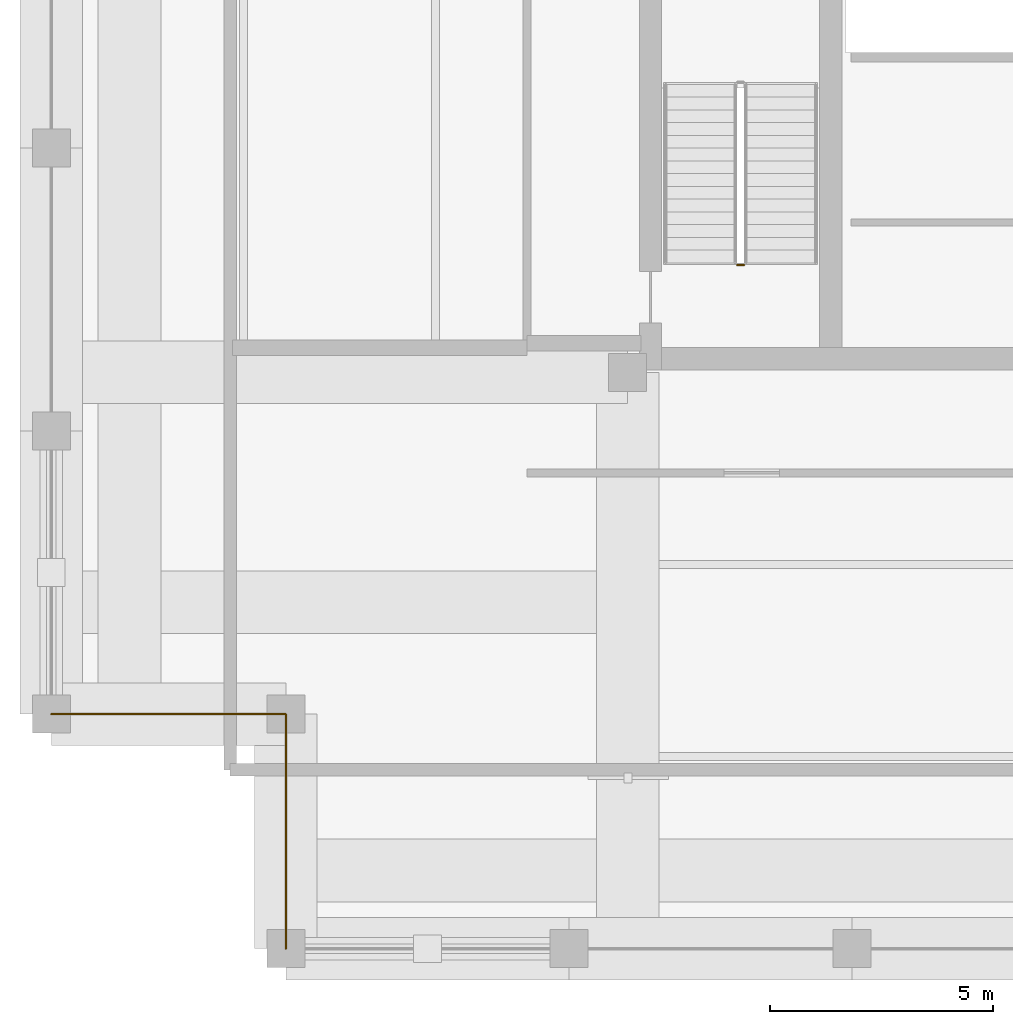
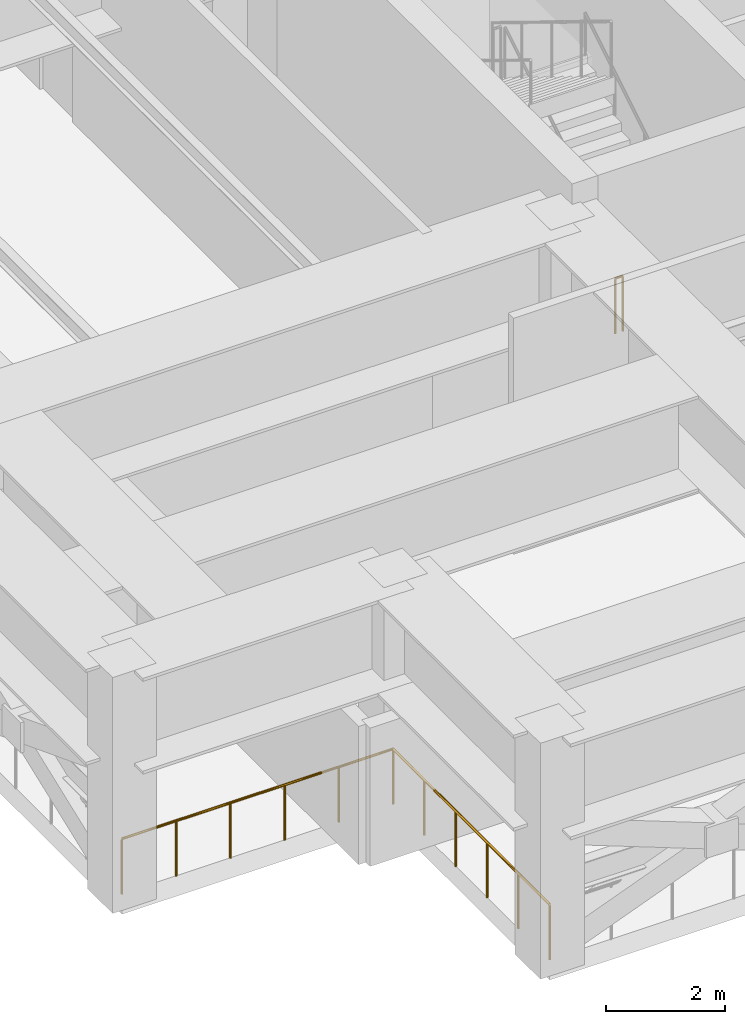
# One storey, part 5 of 10: 3 railings.
"""IFC4 building model written with IfcOpenShell, lengths in metres."""

from ifc_helpers import new_model, si_unit, direction, frame, origin, origin_2d, place, context, subcontext, project, spatial, circle, extrude, material, type_object, element, save


model = new_model("IFC4")

# Units and contexts
model_context = context("Model", 3, precision=1e-05, world=origin(), true_north=direction((0.0, 1.0)))
body_context = subcontext(model_context, "Body", "Model", "MODEL_VIEW")
ifc_project = project(units=[si_unit("LENGTHUNIT", "METRE"), si_unit("AREAUNIT", "SQUARE_METRE"), si_unit("VOLUMEUNIT", "CUBIC_METRE"), si_unit("PLANEANGLEUNIT", "RADIAN"), si_unit("MASSUNIT", "GRAM", prefix="KILO")], contexts=[model_context])

# Site, building, storey
site_placement = place(None, origin())
site = spatial("IfcSite", under=ifc_project, at=site_placement, CompositionType="ELEMENT")
building_placement = place(site_placement, origin())
building = spatial("IfcBuilding", under=site, at=building_placement, Name="Nhamokura Convention Tower", CompositionType="ELEMENT")
storey_placement = place(building_placement, frame((0.0, 0.0, 252.35009765625)))
storey = spatial("IfcBuildingStorey", under=building, at=storey_placement, Name="L62", CompositionType="ELEMENT", Elevation=252.35009765625)

# Railings
ifc_material_1 = material(Name="Painted tubular steel", Category="steel")
railing_type_1 = type_object("IfcRailingType", Name="StairWellGuardrail_1150", PredefinedType="GUARDRAIL", material=ifc_material_1)
railing_1_placement = place(storey_placement, frame((23.25, 23.050048828125, 0.0)))
element("IfcRailing", 1, at=railing_1_placement, inside=storey, type_object=railing_type_1, Name="L62 ST-01 stair guard 4", PredefinedType="GUARDRAIL", context=body_context, shape_type="SweptSolid", body=[
    extrude(circle(Radius=0.02392578125, at=origin_2d()), frame((0.0, 0.0, 1.1259765625), z_axis=(-1.0, 0.0, 0.0), x_axis=(0.0, -1.0, 0.0)), (0.0, 0.0, 1.0), 0.14990234375),
    extrude(circle(Radius=0.02099609375, at=origin_2d()), origin(), (0.0, 0.0, 1.0), 1.101806640625),
    extrude(circle(Radius=0.02099609375, at=origin_2d()), frame((-0.14990234375, 0.0, 0.0)), (0.0, 0.0, 1.0), 1.101806640625),
])
ifc_material_2 = material(Name="Anodised bronze stainless steel", Category="steel")
railing_type_2 = type_object("IfcRailingType", Name="TerraceGuardrail_1150", PredefinedType="GUARDRAIL", material=ifc_material_2)
railing_2_placement = place(storey_placement, frame((7.75, 13.0, 0.0)))
element("IfcRailing", 2, at=railing_2_placement, inside=storey, type_object=railing_type_2, Name="L62 Perimeter Guardrail 11", PredefinedType="GUARDRAIL", context=body_context, shape_type="SweptSolid", body=[
    extrude(circle(Radius=0.02392578125, at=origin_2d()), frame((0.0, 0.0, 1.1259765625), z_axis=(1.0, 0.0, 0.0), x_axis=(0.0, 1.0, 0.0)), (0.0, 0.0, 1.0), 5.25),
    extrude(circle(Radius=0.02099609375, at=origin_2d()), origin(), (0.0, 0.0, 1.0), 1.101806640625),
    extrude(circle(Radius=0.02099609375, at=origin_2d()), frame((1.050048828125, 0.0, 0.0)), (0.0, 0.0, 1.0), 1.101806640625),
    extrude(circle(Radius=0.02099609375, at=origin_2d()), frame((2.10009765625, 0.0, 0.0)), (0.0, 0.0, 1.0), 1.101806640625),
    extrude(circle(Radius=0.02099609375, at=origin_2d()), frame((3.14990234375, 0.0, 0.0)), (0.0, 0.0, 1.0), 1.101806640625),
    extrude(circle(Radius=0.02099609375, at=origin_2d()), frame((4.199951171875, 0.0, 0.0)), (0.0, 0.0, 1.0), 1.101806640625),
    extrude(circle(Radius=0.02099609375, at=origin_2d()), frame((5.25, 0.0, 0.0)), (0.0, 0.0, 1.0), 1.101806640625),
])
railing_3_placement = place(storey_placement, frame((13.0, 13.0, 0.0)))
element("IfcRailing", 3, at=railing_3_placement, inside=storey, type_object=railing_type_2, Name="L62 Perimeter Guardrail 12", PredefinedType="GUARDRAIL", context=body_context, shape_type="SweptSolid", body=[
    extrude(circle(Radius=0.02392578125, at=origin_2d()), frame((0.0, 0.0, 1.1259765625), z_axis=(0.0, -1.0, 0.0), x_axis=(1.0, 0.0, 0.0)), (0.0, 0.0, 1.0), 5.25),
    extrude(circle(Radius=0.02099609375, at=origin_2d()), origin(), (0.0, 0.0, 1.0), 1.101806640625),
    extrude(circle(Radius=0.02099609375, at=origin_2d()), frame((0.0, -1.050048828125, 0.0)), (0.0, 0.0, 1.0), 1.101806640625),
    extrude(circle(Radius=0.02099609375, at=origin_2d()), frame((0.0, -2.10009765625, 0.0)), (0.0, 0.0, 1.0), 1.101806640625),
    extrude(circle(Radius=0.02099609375, at=origin_2d()), frame((0.0, -3.14990234375, 0.0)), (0.0, 0.0, 1.0), 1.101806640625),
    extrude(circle(Radius=0.02099609375, at=origin_2d()), frame((0.0, -4.199951171875, 0.0)), (0.0, 0.0, 1.0), 1.101806640625),
    extrude(circle(Radius=0.02099609375, at=origin_2d()), frame((0.0, -5.25, 0.0)), (0.0, 0.0, 1.0), 1.101806640625),
])

save(model, "model.ifc")
